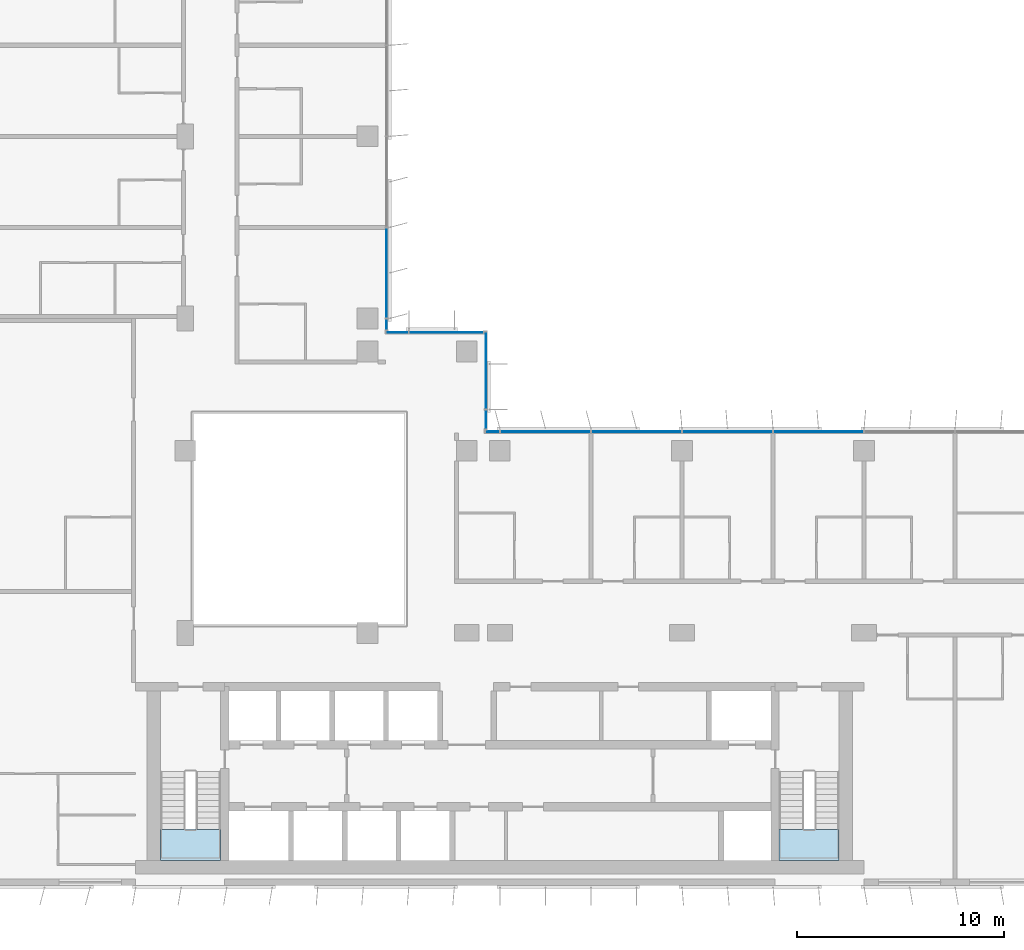
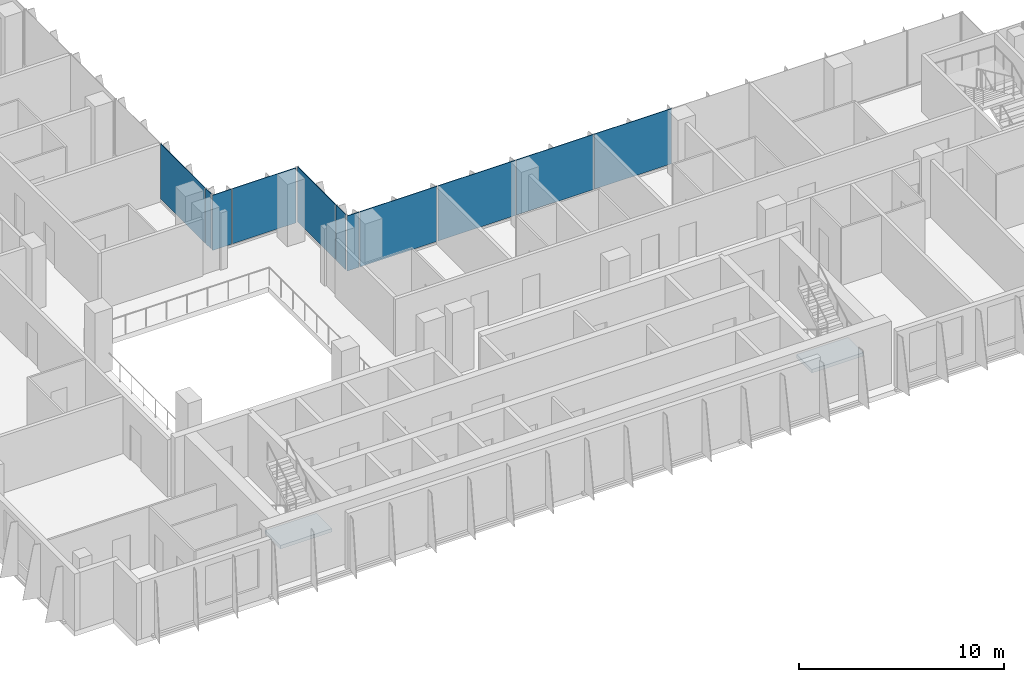
# One storey, part 10 of 21: 11 plates, 2 slabs, 6 elements without a shape of their own.
"""IFC4 building model written with IfcOpenShell, lengths in metres."""

from ifc_helpers import new_model, si_unit, direction, frame, origin, origin_2d, place, context, subcontext, project, spatial, polyline, rectangle, outline, extrude, source, transform, mapped, material, layer, layer_set, type_object, element, aggregate, save


model = new_model("IFC4")

# Units and contexts
model_context = context("Model", 3, precision=1e-05, world=origin(), true_north=direction((0.0, 1.0)))
body_context = subcontext(model_context, "Body", "Model", "MODEL_VIEW")
ifc_project = project(units=[si_unit("LENGTHUNIT", "METRE"), si_unit("AREAUNIT", "SQUARE_METRE"), si_unit("VOLUMEUNIT", "CUBIC_METRE"), si_unit("PLANEANGLEUNIT", "RADIAN"), si_unit("MASSUNIT", "GRAM", prefix="KILO")], contexts=[model_context])

# Site, building, storey
site_placement = place(None, origin())
site = spatial("IfcSite", under=ifc_project, at=site_placement, CompositionType="ELEMENT")
building_placement = place(site_placement, origin())
building = spatial("IfcBuilding", under=site, at=building_placement, Name="Kemantara Hotel Tower", CompositionType="ELEMENT")
storey_placement = place(building_placement, frame((0.0, 0.0, 156.800048828125)))
storey = spatial("IfcBuildingStorey", under=building, at=storey_placement, Name="L38", CompositionType="ELEMENT", Elevation=156.800048828125)

# Stair, slab
ifc_material_1 = material(Name="Concrete fc 40 MPa", Category="concrete")
stair_type = type_object("IfcStairType", Name="Stair 1200 wide 22 risers of 168 x 280 mm", PredefinedType="HALF_TURN_STAIR", material=ifc_material_1)
stair_1_placement = place(storey_placement, origin())
stair_1 = element("IfcStair", 1, at=stair_1_placement, inside=storey, type_object=stair_type, Name="L38 Exit stair ST1", PredefinedType="HALF_TURN_STAIR")
ifc_layer_1 = layer(ifc_material_1, 0.199951171875)
ifc_layer_set_1 = layer_set([ifc_layer_1], Name="Concrete fc 40 MPa")
slab_type = type_object("IfcSlabType", Name="Stair landing 200 mm", PredefinedType="LANDING", material=ifc_layer_set_1)
slab_1_placement = place(storey_placement, frame((0.0, 0.0, 1.64990234375)))
slab_1 = element("IfcSlab", 2, at=slab_1_placement, type_object=slab_type, Name="ST1 landing 1", PredefinedType="LANDING", context=body_context, shape_type="SweptSolid", body=[
    extrude(outline(polyline([(11.0, 2.699951171875), (11.0, 1.199951171875), (13.89990234375, 1.199951171875), (13.89990234375, 2.699951171875), (11.0, 2.699951171875)])), origin(), (0.0, 0.0, 1.0), 0.199951171875),
])
aggregate(stair_1, [slab_1])

stair_2_placement = place(storey_placement, origin())
stair_2 = element("IfcStair", 3, at=stair_2_placement, inside=storey, type_object=stair_type, Name="L38 Exit stair ST2", PredefinedType="HALF_TURN_STAIR")
slab_2_placement = place(storey_placement, frame((0.0, 0.0, 1.64990234375)))
slab_2 = element("IfcSlab", 4, at=slab_2_placement, type_object=slab_type, Name="ST2 landing 1", PredefinedType="LANDING", context=body_context, shape_type="SweptSolid", body=[
    extrude(outline(polyline([(40.89990234375, 2.699951171875), (40.89990234375, 1.199951171875), (43.800048828125, 1.199951171875), (43.800048828125, 2.699951171875), (40.89990234375, 2.699951171875)])), origin(), (0.0, 0.0, 1.0), 0.199951171875),
])
aggregate(stair_2, [slab_2])

# Curtain wall, plates
ifc_material_2 = material(Name="Low-E tinted double insulated glass 36 mm", Category="glass")
curtain_wall_type = type_object("IfcCurtainWallType", Name="TOWER CURTAIN WALL, FRONT FACES", PredefinedType="USERDEFINED", material=ifc_material_2)
curtain_wall_1_placement = place(storey_placement, origin())
curtain_wall_1 = element("IfcCurtainWall", 5, at=curtain_wall_1_placement, inside=storey, type_object=curtain_wall_type, Name="CW4 L38 T3-R14-1", ObjectType="TOWER CURTAIN WALL, FRONT FACES", PredefinedType="USERDEFINED")
ifc_layer_2 = layer(ifc_material_2, 0.035888671875)
ifc_layer_set_2 = layer_set([ifc_layer_2], Name="Low-E tinted double insulated glass 36 mm")
plate_type = type_object("IfcPlateType", Name="TOWER CURTAIN WALL, FRONT FACES PANEL", PredefinedType="CURTAIN_PANEL", material=ifc_layer_set_2)
shared_shape_1 = source(origin(), body_context, "Body", "SweptSolid", [
    extrude(rectangle(XDim=4.340087890625, YDim=0.035888671875, at=origin_2d()), origin(), (0.0, 0.0, 1.0), 3.280029296875),
])
plate_1_placement = place(storey_placement, frame((42.800048828125, 21.925048828125, 0.1201171875), z_axis=(0.0, 0.0, 1.0), x_axis=(-1.0, 0.0, 0.0)))
plate_1 = element("IfcPlate", 6, at=plate_1_placement, type_object=plate_type, Name="CW4 glass panel T3-R14-1.5", PredefinedType="CURTAIN_PANEL", context=body_context, shape_type="MappedRepresentation", body=[
    mapped(shared_shape_1, transform((0.0, 0.0, 0.0))),
])
plate_2_placement = place(storey_placement, frame((38.39990234375, 21.925048828125, 0.1201171875), z_axis=(0.0, 0.0, 1.0), x_axis=(-1.0, 0.0, 0.0)))
plate_2 = element("IfcPlate", 7, at=plate_2_placement, type_object=plate_type, Name="CW4 glass panel T3-R14-1.6", PredefinedType="CURTAIN_PANEL", context=body_context, shape_type="MappedRepresentation", body=[
    mapped(shared_shape_1, transform((0.0, 0.0, 0.0))),
])
plate_3_placement = place(storey_placement, frame((34.0, 21.925048828125, 0.1201171875), z_axis=(0.0, 0.0, 1.0), x_axis=(-1.0, 0.0, 0.0)))
plate_3 = element("IfcPlate", 8, at=plate_3_placement, type_object=plate_type, Name="CW4 glass panel T3-R14-1.7", PredefinedType="CURTAIN_PANEL", context=body_context, shape_type="MappedRepresentation", body=[
    mapped(shared_shape_1, transform((0.0, 0.0, 0.0))),
])
plate_4_placement = place(storey_placement, frame((29.60009765625, 21.925048828125, 0.1201171875), z_axis=(0.0, 0.0, 1.0), x_axis=(-1.0, 0.0, 0.0)))
plate_4 = element("IfcPlate", 9, at=plate_4_placement, type_object=plate_type, Name="CW4 glass panel T3-R14-1.8", PredefinedType="CURTAIN_PANEL", context=body_context, shape_type="MappedRepresentation", body=[
    mapped(shared_shape_1, transform((0.0, 0.0, 0.0))),
])

# Curtain wall, plate
curtain_wall_2_placement = place(storey_placement, origin())
curtain_wall_2 = element("IfcCurtainWall", 10, at=curtain_wall_2_placement, inside=storey, type_object=curtain_wall_type, Name="CW4 L38 T3-R17-1", ObjectType="TOWER CURTAIN WALL, FRONT FACES", PredefinedType="USERDEFINED")
plate_5_placement = place(storey_placement, frame((21.925048828125, 29.60009765625, 0.1201171875), z_axis=(0.0, 0.0, 1.0), x_axis=(0.0, 1.0, 0.0)))
plate_5 = element("IfcPlate", 11, at=plate_5_placement, type_object=plate_type, Name="CW4 glass panel T3-R17-1.2", PredefinedType="CURTAIN_PANEL", context=body_context, shape_type="MappedRepresentation", body=[
    mapped(shared_shape_1, transform((0.0, 0.0, 0.0))),
])

# Plate
shared_shape_2 = source(origin(), body_context, "Body", "SweptSolid", [
    extrude(rectangle(XDim=0.659912109375, YDim=0.035888671875, at=origin_2d()), origin(), (0.0, 0.0, 1.0), 3.280029296875),
])
plate_6_placement = place(storey_placement, frame((27.0400390625, 21.925048828125, 0.1201171875), z_axis=(0.0, 0.0, 1.0), x_axis=(-1.0, 0.0, 0.0)))
plate_6 = element("IfcPlate", 12, at=plate_6_placement, type_object=plate_type, Name="CW4 glass panel T3-R14-1.9", PredefinedType="CURTAIN_PANEL", context=body_context, shape_type="MappedRepresentation", body=[
    mapped(shared_shape_2, transform((0.0, 0.0, 0.0))),
])

aggregate(curtain_wall_1, [plate_1, plate_2, plate_3, plate_4, plate_6])

shared_shape_3 = source(origin(), body_context, "Body", "SweptSolid", [
    extrude(rectangle(XDim=0.510009765625, YDim=0.035888671875, at=origin_2d()), origin(), (0.0, 0.0, 1.0), 3.280029296875),
])
plate_7_placement = place(storey_placement, frame((21.925048828125, 27.114990234375, 0.1201171875), z_axis=(0.0, 0.0, 1.0), x_axis=(0.0, 1.0, 0.0)))
plate_7 = element("IfcPlate", 13, at=plate_7_placement, type_object=plate_type, Name="CW4 glass panel T3-R17-1.1", PredefinedType="CURTAIN_PANEL", context=body_context, shape_type="MappedRepresentation", body=[
    mapped(shared_shape_3, transform((0.0, 0.0, 0.0))),
])

aggregate(curtain_wall_2, [plate_7, plate_5])

# Curtain wall, plates
curtain_wall_3_placement = place(storey_placement, origin())
curtain_wall_3 = element("IfcCurtainWall", 14, at=curtain_wall_3_placement, inside=storey, type_object=curtain_wall_type, Name="CW4 L38 T3-R15-1", ObjectType="TOWER CURTAIN WALL, FRONT FACES", PredefinedType="USERDEFINED")
shared_shape_4 = source(origin(), body_context, "Body", "SweptSolid", [
    extrude(rectangle(XDim=0.909912109375, YDim=0.035888671875, at=origin_2d()), origin(), (0.0, 0.0, 1.0), 3.280029296875),
])
plate_8_placement = place(storey_placement, frame((26.72509765625, 22.514892578125, 0.1201171875), z_axis=(0.0, 0.0, 1.0), x_axis=(0.0, 1.0, 0.0)))
plate_8 = element("IfcPlate", 15, at=plate_8_placement, type_object=plate_type, Name="CW4 glass panel T3-R15-1.1", PredefinedType="CURTAIN_PANEL", context=body_context, shape_type="MappedRepresentation", body=[
    mapped(shared_shape_4, transform((0.0, 0.0, 0.0))),
])
shared_shape_5 = source(origin(), body_context, "Body", "SweptSolid", [
    extrude(rectangle(XDim=3.7099609375, YDim=0.035888671875, at=origin_2d()), origin(), (0.0, 0.0, 1.0), 3.280029296875),
])
plate_9_placement = place(storey_placement, frame((26.72509765625, 24.885009765625, 0.1201171875), z_axis=(0.0, 0.0, 1.0), x_axis=(0.0, 1.0, 0.0)))
plate_9 = element("IfcPlate", 16, at=plate_9_placement, type_object=plate_type, Name="CW4 glass panel T3-R15-1.2", PredefinedType="CURTAIN_PANEL", context=body_context, shape_type="MappedRepresentation", body=[
    mapped(shared_shape_5, transform((0.0, 0.0, 0.0))),
])
aggregate(curtain_wall_3, [plate_8, plate_9])

curtain_wall_4_placement = place(storey_placement, origin())
curtain_wall_4 = element("IfcCurtainWall", 17, at=curtain_wall_4_placement, inside=storey, type_object=curtain_wall_type, Name="CW4 L38 T3-R16-1", ObjectType="TOWER CURTAIN WALL, FRONT FACES", PredefinedType="USERDEFINED")
shared_shape_6 = source(origin(), body_context, "Body", "SweptSolid", [
    extrude(rectangle(XDim=3.56005859375, YDim=0.035888671875, at=origin_2d()), origin(), (0.0, 0.0, 1.0), 3.280029296875),
])
plate_10_placement = place(storey_placement, frame((24.81005859375, 26.72509765625, 0.1201171875), z_axis=(0.0, 0.0, 1.0), x_axis=(-1.0, 0.0, 0.0)))
plate_10 = element("IfcPlate", 18, at=plate_10_placement, type_object=plate_type, Name="CW4 glass panel T3-R16-1.1", PredefinedType="CURTAIN_PANEL", context=body_context, shape_type="MappedRepresentation", body=[
    mapped(shared_shape_6, transform((0.0, 0.0, 0.0))),
])
shared_shape_7 = source(origin(), body_context, "Body", "SweptSolid", [
    extrude(rectangle(XDim=1.06005859375, YDim=0.035888671875, at=origin_2d()), origin(), (0.0, 0.0, 1.0), 3.280029296875),
])
plate_11_placement = place(storey_placement, frame((22.43994140625, 26.72509765625, 0.1201171875), z_axis=(0.0, 0.0, 1.0), x_axis=(-1.0, 0.0, 0.0)))
plate_11 = element("IfcPlate", 19, at=plate_11_placement, type_object=plate_type, Name="CW4 glass panel T3-R16-1.2", PredefinedType="CURTAIN_PANEL", context=body_context, shape_type="MappedRepresentation", body=[
    mapped(shared_shape_7, transform((0.0, 0.0, 0.0))),
])
aggregate(curtain_wall_4, [plate_10, plate_11])

save(model, "model.ifc")
